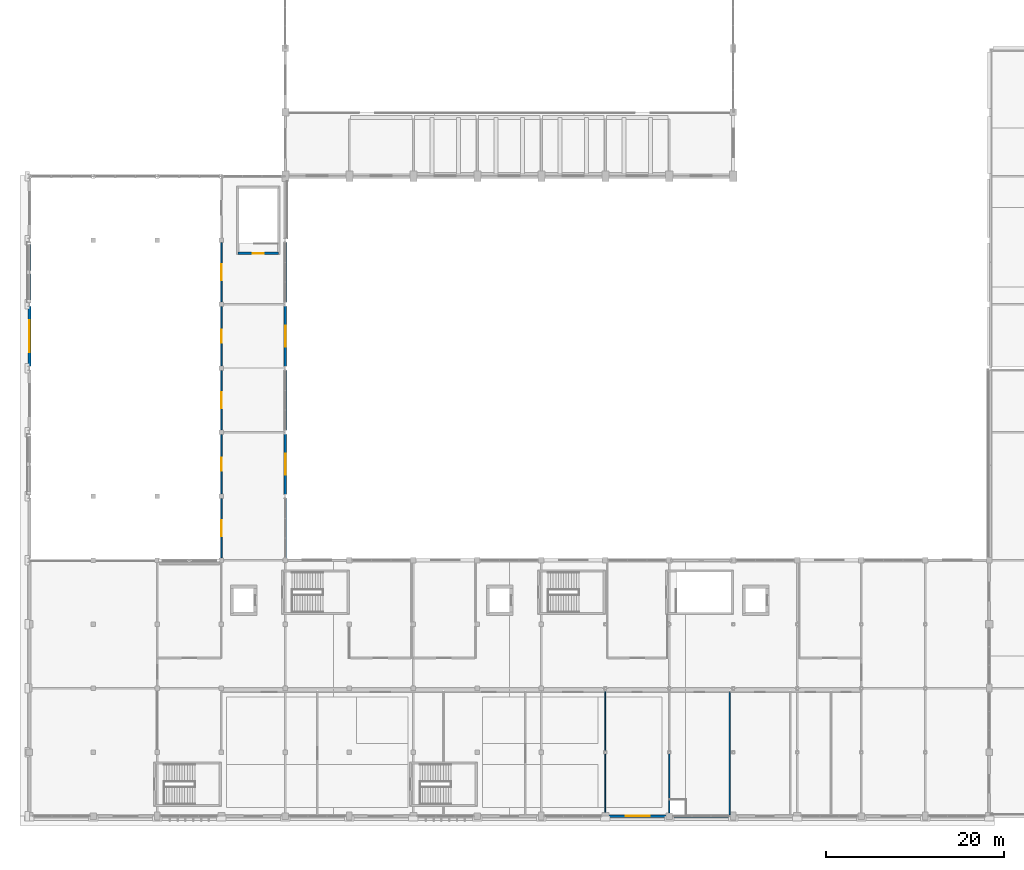
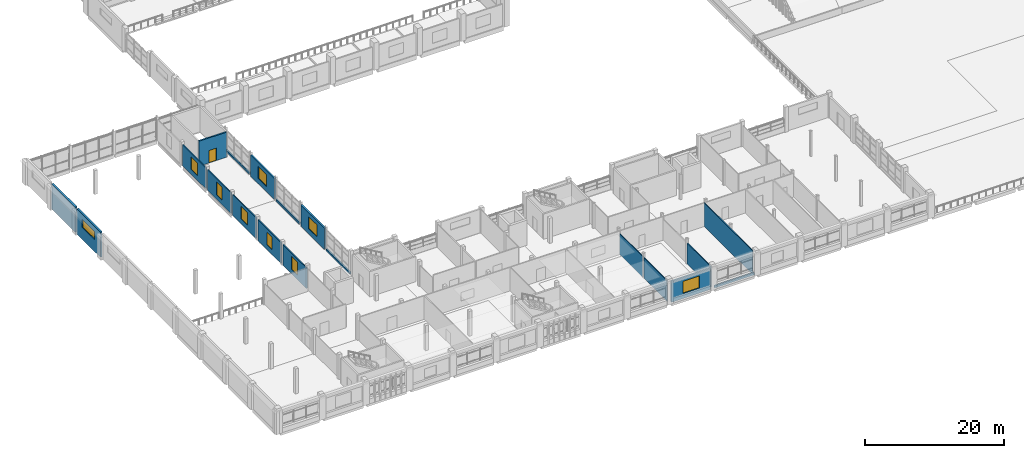
# One storey, part 49 of 71: 19 walls, 9 windows, 1 door, 10 openings.
"""IFC4 building model written with IfcOpenShell, lengths in metres."""

from ifc_helpers import new_model, si_unit, direction, frame, frame_2d, origin, place, context, subcontext, project, spatial, rectangle, extrude, material, layer, layer_set, type_object, element, fill, save


model = new_model("IFC4")

# Units and contexts
model_context = context("Model", 3, precision=1e-05, world=origin(), true_north=direction((0.0, 1.0)))
body_context = subcontext(model_context, "Body", "Model", "MODEL_VIEW")
ifc_project = project(units=[si_unit("LENGTHUNIT", "METRE"), si_unit("AREAUNIT", "SQUARE_METRE"), si_unit("VOLUMEUNIT", "CUBIC_METRE"), si_unit("PLANEANGLEUNIT", "RADIAN"), si_unit("MASSUNIT", "GRAM", prefix="KILO")], contexts=[model_context])

# Site, building, storey
site_placement = place(None, origin())
site = spatial("IfcSite", under=ifc_project, at=site_placement, CompositionType="ELEMENT")
building_placement = place(site_placement, origin())
building = spatial("IfcBuilding", under=site, at=building_placement, Name="Sardonyx Promenade Sports Hall", CompositionType="ELEMENT")
storey_placement = place(building_placement, frame((0.0, 0.0, 16.0)))
storey = spatial("IfcBuildingStorey", under=building, at=storey_placement, Name="L03", CompositionType="ELEMENT", Elevation=16.0)

# Wall, opening, window
ifc_material_1 = material(Name="Concrete C40/50", Category="concrete")
ifc_layer_1 = layer(ifc_material_1, 0.320068359375)
ifc_layer_set_1 = layer_set([ifc_layer_1], Name="Wall_Ext_Court_320")
wall_type_1 = type_object("IfcWallType", Name="Wall_Ext_Court_320", PredefinedType="SOLIDWALL", material=ifc_layer_set_1)
wall_1_placement = place(storey_placement, frame((0.0, 50.60498046875, 0.0), z_axis=(0.0, 0.0, 1.0), x_axis=(0.0, 1.0, 0.0)))
wall_1 = element("IfcWall", 1, at=wall_1_placement, inside=storey, type_object=wall_type_1, Name="Exterior wall EW01 L03 #165", PredefinedType="SOLIDWALL", context=body_context, shape_type="SweptSolid", body=[
    extrude(rectangle(XDim=6.7900390625, YDim=0.320068359375, at=frame_2d((3.39501953125, 0.0))), origin(), (0.0, 0.0, 1.0), 4.39990234375),
])
opening_1_placement = place(wall_1_placement, frame((1.594970703125, 0.0, 2.10009765625)))
opening_1 = element("IfcOpeningElement", 2, at=opening_1_placement, cuts=wall_1, Name="Opening W17", PredefinedType="OPENING", context=body_context, shape_type="SweptSolid", body=[
    extrude(rectangle(XDim=3.60009765625, YDim=1.35009765625, at=frame_2d((1.800048828125, 0.675048828125))), frame((0.0, 0.17, 0.0), z_axis=(0.0, -1.0, 0.0), x_axis=(1.0, 0.0, 0.0)), (0.0, 0.0, 1.0), 0.34),
])
ifc_material_2 = material(Name="Double-glazed solar low-E aluminium window", Category="aluminium")
window_type_1 = type_object("IfcWindowType", Name="Win_Clerestory_360x135", PartitioningType="DOUBLE_PANEL_VERTICAL", PredefinedType="WINDOW", material=ifc_material_2)
window_1_placement = place(opening_1_placement, origin())
window_1 = element("IfcWindow", 3, at=window_1_placement, inside=storey, type_object=window_type_1, Name="Facade window W17 L03 #70", OverallHeight=1.35009765625, OverallWidth=3.60009765625, PartitioningType="SINGLE_PANEL", PredefinedType="WINDOW", context=body_context, shape_type="SweptSolid", body=[
    extrude(rectangle(XDim=3.60009765625, YDim=1.35009765625, at=frame_2d((1.800048828125, 0.675048828125))), frame((0.0, 0.030029296875, 0.0), z_axis=(0.0, -1.0, 0.0), x_axis=(1.0, 0.0, 0.0)), (0.0, 0.0, 1.0), 0.06005859375),
])
fill(opening_1, window_1)

# Walls
wall_2_placement = place(storey_placement, frame((0.0, 57.804931640625, 0.0), z_axis=(0.0, 0.0, 1.0), x_axis=(0.0, 1.0, 0.0)))
element("IfcWall", 4, at=wall_2_placement, inside=storey, type_object=wall_type_1, Name="Exterior wall EW01 L03 #166", PredefinedType="SOLIDWALL", context=body_context, shape_type="SweptSolid", body=[
    extrude(rectangle(XDim=6.7900390625, YDim=0.320068359375, at=frame_2d((3.39501953125, 0.0))), origin(), (0.0, 0.0, 1.0), 4.39990234375),
])
ifc_material_3 = material(Name="Masonry CMU 15 MPa", Category="masonry")
ifc_layer_2 = layer(ifc_material_3, 0.239990234375)
ifc_layer_set_2 = layer_set([ifc_layer_2], Name="Wall_Ext_Spandrel_240")
wall_type_2 = type_object("IfcWallType", Name="Wall_Ext_Spandrel_240", PredefinedType="SOLIDWALL", material=ifc_layer_set_2)
wall_3_placement = place(storey_placement, frame((78.9150390625, 0.0, 0.0), z_axis=(0.0, 0.0, 1.0), x_axis=(-1.0, 0.0, 0.0)))
element("IfcWall", 5, at=wall_3_placement, inside=storey, type_object=wall_type_2, Name="Curtain-wall sill spandrel L03 #81", PredefinedType="SOLIDWALL", context=body_context, shape_type="SweptSolid", body=[
    extrude(rectangle(XDim=6.580078125, YDim=0.239990234375, at=frame_2d((3.2900390625, 0.0))), origin(), (0.0, 0.0, 1.0), 0.35009765625),
])
for number, where, z_axis, x_axis, name in (
    (6, (28.800048828125, 64.594970703125, 0.0), (0.0, 0.0, 1.0), (0.0, -1.0, 0.0), "Curtain-wall sill spandrel L03 #234"),
    (7, (28.800048828125, 50.195068359375, 0.0), (0.0, 0.0, 1.0), (0.0, -1.0, 0.0), "Curtain-wall sill spandrel L03 #236"),
):
    element("IfcWall", number, at=place(storey_placement, frame(where, z_axis=z_axis, x_axis=x_axis)), inside=storey, type_object=wall_type_2, Name=name, PredefinedType="SOLIDWALL", context=body_context, shape_type="SweptSolid", body=[
        extrude(rectangle(XDim=6.7900390625, YDim=0.239990234375, at=frame_2d((3.39501953125, 0.0))), origin(), (0.0, 0.0, 1.0), 0.35009765625),
    ])
wall_4_placement = place(storey_placement, frame((28.800048828125, 35.794921875, 0.0), z_axis=(0.0, 0.0, 1.0), x_axis=(0.0, -1.0, 0.0)))
element("IfcWall", 8, at=wall_4_placement, inside=storey, type_object=wall_type_2, Name="Curtain-wall sill spandrel L03 #238", PredefinedType="SOLIDWALL", context=body_context, shape_type="SweptSolid", body=[
    extrude(rectangle(XDim=6.760009765625, YDim=0.239990234375, at=frame_2d((3.3798828125, 0.0))), origin(), (0.0, 0.0, 1.0), 0.35009765625),
])

# Wall, opening, window
ifc_material_4 = material(Name="Concrete C40/50", Category="concrete")
ifc_layer_3 = layer(ifc_material_4, 0.280029296875)
ifc_layer_set_3 = layer_set([ifc_layer_3], Name="Wall_Ext_Wing_280")
wall_type_3 = type_object("IfcWallType", Name="Wall_Ext_Wing_280", PredefinedType="SOLIDWALL", material=ifc_layer_set_3)
wall_5_placement = place(storey_placement, frame((71.6650390625, 0.0, 0.0), z_axis=(0.0, 0.0, 1.0), x_axis=(-1.0, 0.0, 0.0)))
wall_5 = element("IfcWall", 9, at=wall_5_placement, inside=storey, type_object=wall_type_3, Name="Exterior wall EW02 L03 #82", PredefinedType="SOLIDWALL", context=body_context, shape_type="SweptSolid", body=[
    extrude(rectangle(XDim=6.47998046875, YDim=0.280029296875, at=frame_2d((3.239990234375, 0.0))), origin(), (0.0, 0.0, 1.0), 3.675048828125),
])
opening_2_placement = place(wall_5_placement, frame((1.889892578125, 0.0, 0.89990234375)))
opening_2 = element("IfcOpeningElement", 10, at=opening_2_placement, cuts=wall_5, Name="Opening W01", PredefinedType="OPENING", context=body_context, shape_type="SweptSolid", body=[
    extrude(rectangle(XDim=2.699951171875, YDim=2.10009765625, at=frame_2d((1.35009765625, 1.050048828125))), frame((0.0, 0.15, 0.0), z_axis=(0.0, -1.0, 0.0), x_axis=(1.0, 0.0, 0.0)), (0.0, 0.0, 1.0), 0.3),
])
ifc_material_5 = material(Name="Double-glazed solar low-E aluminium window", Category="aluminium")
window_type_2 = type_object("IfcWindowType", Name="Win_Studio_270x210", PartitioningType="DOUBLE_PANEL_VERTICAL", PredefinedType="WINDOW", material=ifc_material_5)
window_2_placement = place(opening_2_placement, origin())
window_2 = element("IfcWindow", 11, at=window_2_placement, inside=storey, type_object=window_type_2, Name="Facade window W01 L03 #33", OverallHeight=2.10009765625, OverallWidth=2.699951171875, PartitioningType="SINGLE_PANEL", PredefinedType="WINDOW", context=body_context, shape_type="SweptSolid", body=[
    extrude(rectangle(XDim=2.699951171875, YDim=2.10009765625, at=frame_2d((1.35009765625, 1.050048828125))), frame((0.0, 0.030029296875, 0.0), z_axis=(0.0, -1.0, 0.0), x_axis=(1.0, 0.0, 0.0)), (0.0, 0.0, 1.0), 0.06005859375),
])
fill(opening_2, window_2)

wall_6_placement = place(storey_placement, frame((28.800048828125, 57.39501953125, 0.0), z_axis=(0.0, 0.0, 1.0), x_axis=(0.0, -1.0, 0.0)))
wall_6 = element("IfcWall", 12, at=wall_6_placement, inside=storey, type_object=wall_type_3, Name="Exterior wall EW02 L03 #235", PredefinedType="SOLIDWALL", context=body_context, shape_type="SweptSolid", body=[
    extrude(rectangle(XDim=6.7900390625, YDim=0.280029296875, at=frame_2d((3.39501953125, 0.0))), origin(), (0.0, 0.0, 1.0), 3.705078125),
])
opening_3_placement = place(wall_6_placement, frame((2.195068359375, 0.0, 0.89990234375)))
opening_3 = element("IfcOpeningElement", 13, at=opening_3_placement, cuts=wall_6, Name="Opening W16", PredefinedType="OPENING", context=body_context, shape_type="SweptSolid", body=[
    extrude(rectangle(XDim=2.39990234375, YDim=2.10009765625, at=frame_2d((1.199951171875, 1.050048828125))), frame((0.0, 0.15, 0.0), z_axis=(0.0, -1.0, 0.0), x_axis=(1.0, 0.0, 0.0)), (0.0, 0.0, 1.0), 0.3),
])
ifc_material_6 = material(Name="Double-glazed solar low-E aluminium window", Category="aluminium")
window_type_3 = type_object("IfcWindowType", Name="Win_Studio_240x210", PartitioningType="DOUBLE_PANEL_VERTICAL", PredefinedType="WINDOW", material=ifc_material_6)
window_3_placement = place(opening_3_placement, origin())
window_3 = element("IfcWindow", 14, at=window_3_placement, inside=storey, type_object=window_type_3, Name="Facade window W16 L03 #94", OverallHeight=2.10009765625, OverallWidth=2.39990234375, PartitioningType="SINGLE_PANEL", PredefinedType="WINDOW", context=body_context, shape_type="SweptSolid", body=[
    extrude(rectangle(XDim=2.39990234375, YDim=2.10009765625, at=frame_2d((1.199951171875, 1.050048828125))), frame((0.0, 0.030029296875, 0.0), z_axis=(0.0, -1.0, 0.0), x_axis=(1.0, 0.0, 0.0)), (0.0, 0.0, 1.0), 0.06005859375),
])
fill(opening_3, window_3)

wall_7_placement = place(storey_placement, frame((28.800048828125, 42.9951171875, 0.0), z_axis=(0.0, 0.0, 1.0), x_axis=(0.0, -1.0, 0.0)))
wall_7 = element("IfcWall", 15, at=wall_7_placement, inside=storey, type_object=wall_type_3, Name="Exterior wall EW02 L03 #237", PredefinedType="SOLIDWALL", context=body_context, shape_type="SweptSolid", body=[
    extrude(rectangle(XDim=6.7900390625, YDim=0.280029296875, at=frame_2d((3.39501953125, 0.0))), origin(), (0.0, 0.0, 1.0), 3.705078125),
])
opening_4_placement = place(wall_7_placement, frame((2.195068359375, 0.0, 0.89990234375)))
opening_4 = element("IfcOpeningElement", 16, at=opening_4_placement, cuts=wall_7, Name="Opening W16", PredefinedType="OPENING", context=body_context, shape_type="SweptSolid", body=[
    extrude(rectangle(XDim=2.39990234375, YDim=2.10009765625, at=frame_2d((1.199951171875, 1.050048828125))), frame((0.0, 0.15, 0.0), z_axis=(0.0, -1.0, 0.0), x_axis=(1.0, 0.0, 0.0)), (0.0, 0.0, 1.0), 0.3),
])
window_4_placement = place(opening_4_placement, origin())
window_4 = element("IfcWindow", 17, at=window_4_placement, inside=storey, type_object=window_type_3, Name="Facade window W16 L03 #95", OverallHeight=2.10009765625, OverallWidth=2.39990234375, PartitioningType="SINGLE_PANEL", PredefinedType="WINDOW", context=body_context, shape_type="SweptSolid", body=[
    extrude(rectangle(XDim=2.39990234375, YDim=2.10009765625, at=frame_2d((1.199951171875, 1.050048828125))), frame((0.0, 0.030029296875, 0.0), z_axis=(0.0, -1.0, 0.0), x_axis=(1.0, 0.0, 0.0)), (0.0, 0.0, 1.0), 0.06005859375),
])
fill(opening_4, window_4)

ifc_material_7 = material(Name="Twin-stud acoustic gypsum partition", Category="gypsum")
ifc_layer_4 = layer(ifc_material_7, 0.169921875)
ifc_layer_set_4 = layer_set([ifc_layer_4], Name="Wall_Part_Acoust_170")
wall_type_4 = type_object("IfcWallType", Name="Wall_Part_Acoust_170", PredefinedType="PARTITIONING", material=ifc_layer_set_4)
wall_8_placement = place(storey_placement, frame((21.60009765625, 29.050048828125, 0.0), z_axis=(0.0, 0.0, 1.0), x_axis=(0.0, 1.0, 0.0)))
wall_8 = element("IfcWall", 18, at=wall_8_placement, inside=storey, type_object=wall_type_4, Name="Interior partition PW06 L03 #500", PredefinedType="PARTITIONING", context=body_context, shape_type="SweptSolid", body=[
    extrude(rectangle(XDim=6.699951171875, YDim=0.169921875, at=frame_2d((3.35009765625, 0.0))), origin(), (0.0, 0.0, 1.0), 3.64990234375),
])
opening_5_placement = place(wall_8_placement, frame((2.449951171875, 0.0, 0.85009765625)))
opening_5 = element("IfcOpeningElement", 19, at=opening_5_placement, cuts=wall_8, Name="Opening IW05", PredefinedType="OPENING", context=body_context, shape_type="SweptSolid", body=[
    extrude(rectangle(XDim=1.800048828125, YDim=2.199951171875, at=frame_2d((0.89990234375, 1.10009765625))), frame((0.0, 0.095, 0.0), z_axis=(0.0, -1.0, 0.0), x_axis=(1.0, 0.0, 0.0)), (0.0, 0.0, 1.0), 0.19),
])
ifc_material_8 = material(Name="Acoustic laminated sports viewing glazing EI 60", Category="glass")
window_type_4 = type_object("IfcWindowType", Name="IWin_Climb_180x220", PartitioningType="DOUBLE_PANEL_VERTICAL", PredefinedType="WINDOW", material=ifc_material_8)
window_5_placement = place(opening_5_placement, origin())
window_5 = element("IfcWindow", 20, at=window_5_placement, inside=storey, type_object=window_type_4, Name="Internal viewing window IW05 L03 #82", OverallHeight=2.199951171875, OverallWidth=1.800048828125, PartitioningType="SINGLE_PANEL", PredefinedType="WINDOW", context=body_context, shape_type="SweptSolid", body=[
    extrude(rectangle(XDim=1.800048828125, YDim=2.199951171875, at=frame_2d((0.89990234375, 1.10009765625))), frame((0.0, 0.030029296875, 0.0), z_axis=(0.0, -1.0, 0.0), x_axis=(1.0, 0.0, 0.0)), (0.0, 0.0, 1.0), 0.06005859375),
])
fill(opening_5, window_5)

wall_9_placement = place(storey_placement, frame((21.60009765625, 36.25, 0.0), z_axis=(0.0, 0.0, 1.0), x_axis=(0.0, 1.0, 0.0)))
wall_9 = element("IfcWall", 21, at=wall_9_placement, inside=storey, type_object=wall_type_4, Name="Interior partition PW06 L03 #501", PredefinedType="PARTITIONING", context=body_context, shape_type="SweptSolid", body=[
    extrude(rectangle(XDim=6.699951171875, YDim=0.169921875, at=frame_2d((3.35009765625, 0.0))), origin(), (0.0, 0.0, 1.0), 3.64990234375),
])
opening_6_placement = place(wall_9_placement, frame((2.60009765625, 0.0, 0.85009765625)))
opening_6 = element("IfcOpeningElement", 22, at=opening_6_placement, cuts=wall_9, Name="Opening IW08", PredefinedType="OPENING", context=body_context, shape_type="SweptSolid", body=[
    extrude(rectangle(XDim=1.5, YDim=2.199951171875, at=frame_2d((0.75, 1.10009765625))), frame((0.0, 0.095, 0.0), z_axis=(0.0, -1.0, 0.0), x_axis=(1.0, 0.0, 0.0)), (0.0, 0.0, 1.0), 0.19),
])
ifc_material_9 = material(Name="Acoustic laminated sports viewing glazing EI 60", Category="glass")
window_type_5 = type_object("IfcWindowType", Name="IWin_Climb_150x220", PartitioningType="DOUBLE_PANEL_VERTICAL", PredefinedType="WINDOW", material=ifc_material_9)
window_6_placement = place(opening_6_placement, origin())
window_6 = element("IfcWindow", 23, at=window_6_placement, inside=storey, type_object=window_type_5, Name="Internal viewing window IW08 L03 #83", OverallHeight=2.199951171875, OverallWidth=1.5, PartitioningType="SINGLE_PANEL", PredefinedType="WINDOW", context=body_context, shape_type="SweptSolid", body=[
    extrude(rectangle(XDim=1.5, YDim=2.199951171875, at=frame_2d((0.75, 1.10009765625))), frame((0.0, 0.030029296875, 0.0), z_axis=(0.0, -1.0, 0.0), x_axis=(1.0, 0.0, 0.0)), (0.0, 0.0, 1.0), 0.06005859375),
])
fill(opening_6, window_6)

wall_10_placement = place(storey_placement, frame((21.60009765625, 43.449951171875, 0.0), z_axis=(0.0, 0.0, 1.0), x_axis=(0.0, 1.0, 0.0)))
wall_10 = element("IfcWall", 24, at=wall_10_placement, inside=storey, type_object=wall_type_4, Name="Interior partition PW06 L03 #502", PredefinedType="PARTITIONING", context=body_context, shape_type="SweptSolid", body=[
    extrude(rectangle(XDim=6.699951171875, YDim=0.169921875, at=frame_2d((3.35009765625, 0.0))), origin(), (0.0, 0.0, 1.0), 3.64990234375),
])
opening_7_placement = place(wall_10_placement, frame((2.449951171875, 0.0, 0.85009765625)))
opening_7 = element("IfcOpeningElement", 25, at=opening_7_placement, cuts=wall_10, Name="Opening IW05", PredefinedType="OPENING", context=body_context, shape_type="SweptSolid", body=[
    extrude(rectangle(XDim=1.800048828125, YDim=2.199951171875, at=frame_2d((0.89990234375, 1.10009765625))), frame((0.0, 0.095, 0.0), z_axis=(0.0, -1.0, 0.0), x_axis=(1.0, 0.0, 0.0)), (0.0, 0.0, 1.0), 0.19),
])
window_7_placement = place(opening_7_placement, origin())
window_7 = element("IfcWindow", 26, at=window_7_placement, inside=storey, type_object=window_type_4, Name="Internal viewing window IW05 L03 #84", OverallHeight=2.199951171875, OverallWidth=1.800048828125, PartitioningType="SINGLE_PANEL", PredefinedType="WINDOW", context=body_context, shape_type="SweptSolid", body=[
    extrude(rectangle(XDim=1.800048828125, YDim=2.199951171875, at=frame_2d((0.89990234375, 1.10009765625))), frame((0.0, 0.030029296875, 0.0), z_axis=(0.0, -1.0, 0.0), x_axis=(1.0, 0.0, 0.0)), (0.0, 0.0, 1.0), 0.06005859375),
])
fill(opening_7, window_7)

wall_11_placement = place(storey_placement, frame((21.60009765625, 50.64990234375, 0.0), z_axis=(0.0, 0.0, 1.0), x_axis=(0.0, 1.0, 0.0)))
wall_11 = element("IfcWall", 27, at=wall_11_placement, inside=storey, type_object=wall_type_4, Name="Interior partition PW06 L03 #503", PredefinedType="PARTITIONING", context=body_context, shape_type="SweptSolid", body=[
    extrude(rectangle(XDim=6.7001953125, YDim=0.169921875, at=frame_2d((3.35009765625, 0.0))), origin(), (0.0, 0.0, 1.0), 3.64990234375),
])
opening_8_placement = place(wall_11_placement, frame((2.60009765625, 0.0, 0.85009765625)))
opening_8 = element("IfcOpeningElement", 28, at=opening_8_placement, cuts=wall_11, Name="Opening IW08", PredefinedType="OPENING", context=body_context, shape_type="SweptSolid", body=[
    extrude(rectangle(XDim=1.5, YDim=2.199951171875, at=frame_2d((0.75, 1.10009765625))), frame((0.0, 0.095, 0.0), z_axis=(0.0, -1.0, 0.0), x_axis=(1.0, 0.0, 0.0)), (0.0, 0.0, 1.0), 0.19),
])
window_8_placement = place(opening_8_placement, origin())
window_8 = element("IfcWindow", 29, at=window_8_placement, inside=storey, type_object=window_type_5, Name="Internal viewing window IW08 L03 #85", OverallHeight=2.199951171875, OverallWidth=1.5, PartitioningType="SINGLE_PANEL", PredefinedType="WINDOW", context=body_context, shape_type="SweptSolid", body=[
    extrude(rectangle(XDim=1.5, YDim=2.199951171875, at=frame_2d((0.75, 1.10009765625))), frame((0.0, 0.030029296875, 0.0), z_axis=(0.0, -1.0, 0.0), x_axis=(1.0, 0.0, 0.0)), (0.0, 0.0, 1.0), 0.06005859375),
])
fill(opening_8, window_8)

wall_12_placement = place(storey_placement, frame((21.60009765625, 57.85009765625, 0.0), z_axis=(0.0, 0.0, 1.0), x_axis=(0.0, 1.0, 0.0)))
wall_12 = element("IfcWall", 30, at=wall_12_placement, inside=storey, type_object=wall_type_4, Name="Interior partition PW06 L03 #504", PredefinedType="PARTITIONING", context=body_context, shape_type="SweptSolid", body=[
    extrude(rectangle(XDim=6.699951171875, YDim=0.169921875, at=frame_2d((3.35009765625, 0.0))), origin(), (0.0, 0.0, 1.0), 3.64990234375),
])
opening_9_placement = place(wall_12_placement, frame((2.449951171875, 0.0, 0.85009765625)))
opening_9 = element("IfcOpeningElement", 31, at=opening_9_placement, cuts=wall_12, Name="Opening IW05", PredefinedType="OPENING", context=body_context, shape_type="SweptSolid", body=[
    extrude(rectangle(XDim=1.800048828125, YDim=2.199951171875, at=frame_2d((0.89990234375, 1.10009765625))), frame((0.0, 0.095, 0.0), z_axis=(0.0, -1.0, 0.0), x_axis=(1.0, 0.0, 0.0)), (0.0, 0.0, 1.0), 0.19),
])
window_9_placement = place(opening_9_placement, origin())
window_9 = element("IfcWindow", 32, at=window_9_placement, inside=storey, type_object=window_type_4, Name="Internal viewing window IW05 L03 #86", OverallHeight=2.199951171875, OverallWidth=1.800048828125, PartitioningType="SINGLE_PANEL", PredefinedType="WINDOW", context=body_context, shape_type="SweptSolid", body=[
    extrude(rectangle(XDim=1.800048828125, YDim=2.199951171875, at=frame_2d((0.89990234375, 1.10009765625))), frame((0.0, 0.030029296875, 0.0), z_axis=(0.0, -1.0, 0.0), x_axis=(1.0, 0.0, 0.0)), (0.0, 0.0, 1.0), 0.06005859375),
])
fill(opening_9, window_9)

# Walls
ifc_material_10 = material(Name="Hygienic clinical stud partition", Category="gypsum")
ifc_layer_5 = layer(ifc_material_10, 0.1201171875)
ifc_layer_set_5 = layer_set([ifc_layer_5], Name="Wall_Part_Clinic_120")
wall_type_5 = type_object("IfcWallType", Name="Wall_Part_Clinic_120", PredefinedType="PARTITIONING", material=ifc_layer_set_5)
wall_13_placement = place(storey_placement, frame((64.800048828125, 0.39990234375, 0.0), z_axis=(0.0, 0.0, 1.0), x_axis=(0.0, 1.0, 0.0)))
element("IfcWall", 33, at=wall_13_placement, inside=storey, type_object=wall_type_5, Name="Interior partition PW02 L03 #300", PredefinedType="PARTITIONING", context=body_context, shape_type="SweptSolid", body=[
    extrude(rectangle(XDim=6.650146484375, YDim=0.1201171875, at=frame_2d((3.3251953125, 0.0))), origin(), (0.0, 0.0, 1.0), 3.6201171875),
])
wall_14_placement = place(storey_placement, frame((64.800048828125, 7.35009765625, 0.0), z_axis=(0.0, 0.0, 1.0), x_axis=(0.0, 1.0, 0.0)))
element("IfcWall", 34, at=wall_14_placement, inside=storey, type_object=wall_type_5, Name="Interior partition PW02 L03 #301", PredefinedType="PARTITIONING", context=body_context, shape_type="SweptSolid", body=[
    extrude(rectangle(XDim=6.64990234375, YDim=0.1201171875, at=frame_2d((3.324951171875, 0.0))), origin(), (0.0, 0.0, 1.0), 3.610107421875),
])
ifc_material_11 = material(Name="Moisture-resistant masonry partition", Category="masonry")
ifc_layer_6 = layer(ifc_material_11, 0.139892578125)
ifc_layer_set_6 = layer_set([ifc_layer_6], Name="Wall_Part_Wet_140")
wall_type_6 = type_object("IfcWallType", Name="Wall_Part_Wet_140", PredefinedType="PARTITIONING", material=ifc_layer_set_6)
wall_15_placement = place(storey_placement, frame((72.0, 0.35009765625, 0.0), z_axis=(0.0, 0.0, 1.0), x_axis=(0.0, 1.0, 0.0)))
element("IfcWall", 35, at=wall_15_placement, inside=storey, type_object=wall_type_6, Name="Interior partition PW08 L03 #302", PredefinedType="PARTITIONING", context=body_context, shape_type="SweptSolid", body=[
    extrude(rectangle(XDim=6.699951171875, YDim=0.139892578125, at=frame_2d((3.35009765625, 0.0))), origin(), (0.0, 0.0, 1.0), 3.6201171875),
])
wall_16_placement = place(storey_placement, frame((78.800048828125, 0.1298828125, 0.0), z_axis=(0.0, 0.0, 1.0), x_axis=(0.0, 1.0, 0.0)))
element("IfcWall", 36, at=wall_16_placement, inside=storey, type_object=wall_type_6, Name="Interior partition PW08 L03 #304", PredefinedType="PARTITIONING", context=body_context, shape_type="SweptSolid", body=[
    extrude(rectangle(XDim=13.8701171875, YDim=0.139892578125, at=frame_2d((6.93505859375, 0.0))), origin(), (0.0, 0.0, 1.0), 4.1201171875),
])

# Wall, opening, door
ifc_material_12 = material(Name="Concrete C40/50", Category="concrete")
ifc_layer_7 = layer(ifc_material_12, 0.25)
ifc_layer_set_7 = layer_set([ifc_layer_7], Name="Wall_Stair_Shear_250")
wall_type_7 = type_object("IfcWallType", Name="Wall_Stair_Shear_250", PredefinedType="SHEAR", material=ifc_layer_set_7)
wall_17_placement = place(storey_placement, frame((28.050048828125, 63.324951171875, 0.0), z_axis=(0.0, 0.0, 1.0), x_axis=(-1.0, 0.0, 0.0)))
wall_17 = element("IfcWall", 37, at=wall_17_placement, inside=storey, type_object=wall_type_7, Name="Stair shaft wall ST7 L03 entry", PredefinedType="SHEAR", context=body_context, shape_type="SweptSolid", body=[
    extrude(rectangle(XDim=4.60009765625, YDim=0.25, at=frame_2d((2.300048828125, 0.0))), origin(), (0.0, 0.0, 1.0), 4.39990234375),
])
opening_10_placement = place(wall_17_placement, frame((1.675048828125, 0.0, 0.0)))
opening_10 = element("IfcOpeningElement", 38, at=opening_10_placement, cuts=wall_17, Name="Opening ID13", PredefinedType="OPENING", context=body_context, shape_type="SweptSolid", body=[
    extrude(rectangle(XDim=1.25, YDim=2.199951171875, at=frame_2d((0.625, 1.10009765625))), frame((0.0, 0.135, 0.0), z_axis=(0.0, -1.0, 0.0), x_axis=(1.0, 0.0, 0.0)), (0.0, 0.0, 1.0), 0.27),
])
ifc_material_13 = material(Name="Solid-core hardwood fire door FD60S", Category="wood")
door_type = type_object("IfcDoorType", Name="Door_Stair_FD60_125x220", OperationType="NOTDEFINED", PredefinedType="DOOR", material=ifc_material_13)
door_placement = place(opening_10_placement, origin())
door = element("IfcDoor", 39, at=door_placement, inside=storey, type_object=door_type, Name="Protected stair door SD35 (ST7 L03)", OperationType="SINGLE_SWING_LEFT", OverallHeight=2.199951171875, OverallWidth=1.25, PredefinedType="DOOR", context=body_context, shape_type="SweptSolid", body=[
    extrude(rectangle(XDim=1.25, YDim=2.199951171875, at=frame_2d((0.625, 1.10009765625))), frame((0.0, 0.02490234375, 0.0), z_axis=(0.0, -1.0, 0.0), x_axis=(1.0, 0.0, 0.0)), (0.0, 0.0, 1.0), 0.050048828125),
])
fill(opening_10, door)

save(model, "model.ifc")
